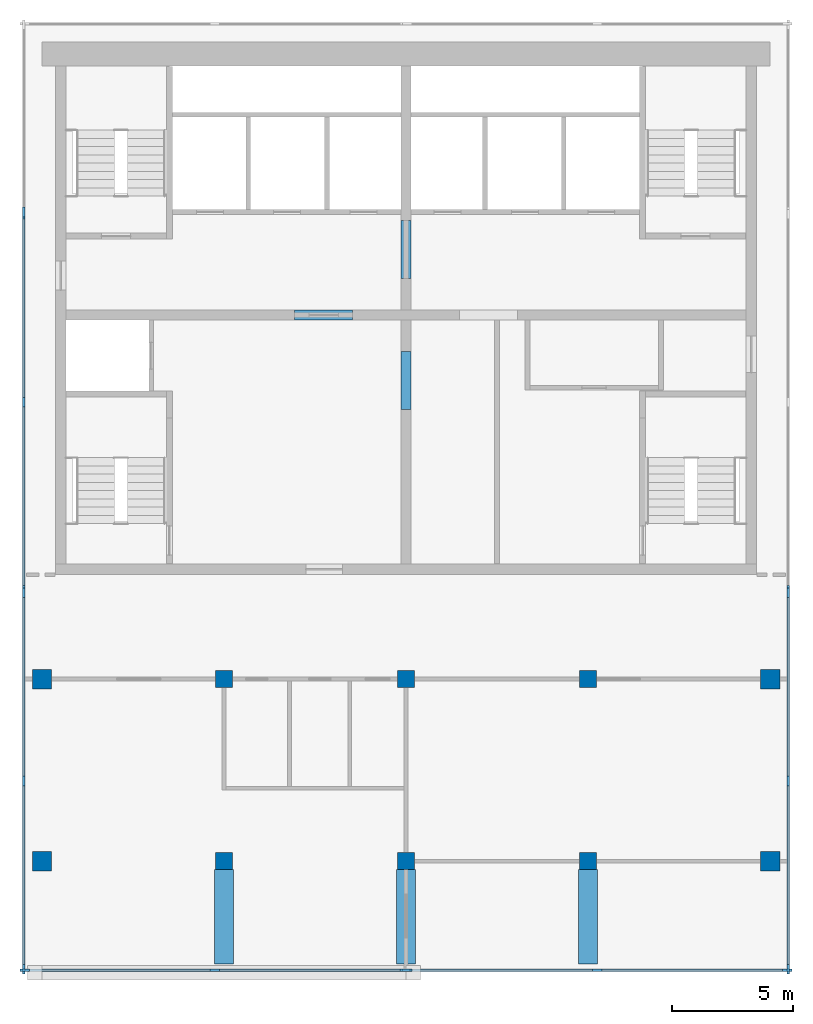
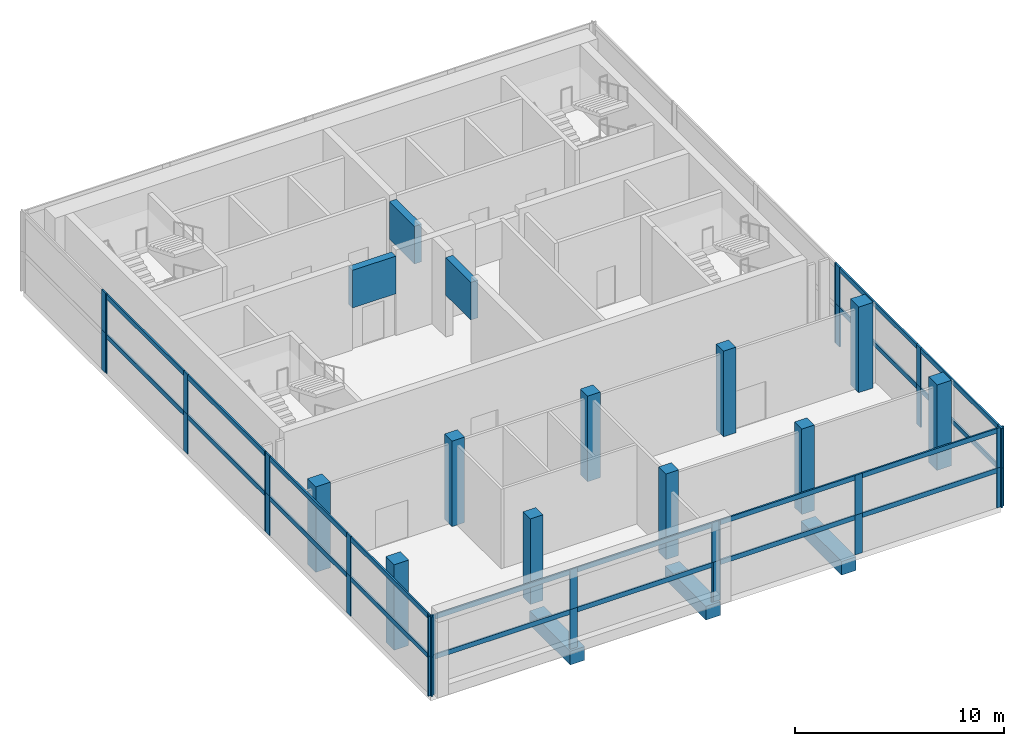
# One storey, part 1 of 6: 54 members, 10 columns, 6 beams, 14 elements without a shape of their own.
"""IFC4 building model written with IfcOpenShell, lengths in metres."""

from ifc_helpers import new_model, si_unit, direction, frame, origin, origin_2d, place, context, subcontext, project, spatial, rectangle, extrude, material, material_profile, profile_set, type_object, element, aggregate, save


model = new_model("IFC4")

# Units and contexts
model_context = context("Model", 3, precision=1e-05, world=origin(), true_north=direction((0.0, 1.0)))
body_context = subcontext(model_context, "Body", "Model", "MODEL_VIEW")
ifc_project = project(units=[si_unit("LENGTHUNIT", "METRE"), si_unit("AREAUNIT", "SQUARE_METRE"), si_unit("VOLUMEUNIT", "CUBIC_METRE"), si_unit("PLANEANGLEUNIT", "RADIAN"), si_unit("MASSUNIT", "GRAM", prefix="KILO")], contexts=[model_context])

# Site, building, storey
site_placement = place(None, origin())
site = spatial("IfcSite", under=ifc_project, at=site_placement, CompositionType="ELEMENT")
building_placement = place(site_placement, origin())
building = spatial("IfcBuilding", under=site, at=building_placement, Name="Pilkhan Gate Tower", CompositionType="ELEMENT")
storey_placement = place(building_placement, frame((0.0, 0.0, 287.699951171875)))
storey = spatial("IfcBuildingStorey", under=building, at=storey_placement, Name="L75", CompositionType="ELEMENT", Elevation=287.699951171875)

# Columns
ifc_material_1 = material(Name="Concrete C40/50", Category="concrete")
ifc_material_profile_1 = material_profile(ifc_material_1, rectangle(XDim=0.699951171875, YDim=0.699951171875, at=origin_2d()), Name="RC 700x700")
ifc_profile_set_1 = profile_set([ifc_material_profile_1], Name="Concrete C40/50")
column_type_1 = type_object("IfcColumnType", Name="Column C70 RC 700x700 C40/50", PredefinedType="COLUMN", material=ifc_profile_set_1)
for number, where, z_axis, x_axis, name in (
    (1, (67.5, 60.0, 0.0), (0.0, 0.0, 1.0), (1.0, 0.0, 0.0), "Column 9/F L75"),
    (2, (67.5, 67.5, 0.0), (0.0, 0.0, 1.0), (1.0, 0.0, 0.0), "Column 9/H L75"),
    (3, (75.0, 60.0, 0.0), (0.0, 0.0, 1.0), (1.0, 0.0, 0.0), "Column 11/F L75"),
    (4, (75.0, 67.5, 0.0), (0.0, 0.0, 1.0), (1.0, 0.0, 0.0), "Column 11/H L75"),
    (5, (82.5, 60.0, 0.0), (0.0, 0.0, 1.0), (1.0, 0.0, 0.0), "Column 13/F L75"),
    (6, (82.5, 67.5, 0.0), (0.0, 0.0, 1.0), (1.0, 0.0, 0.0), "Column 13/H L75"),
):
    element("IfcColumn", number, at=place(storey_placement, frame(where, z_axis=z_axis, x_axis=x_axis)), inside=storey, type_object=column_type_1, Name=name, PredefinedType="COLUMN", context=body_context, shape_type="SweptSolid", body=[
        extrude(rectangle(XDim=0.699951171875, YDim=0.699951171875, at=origin_2d()), origin(), (0.0, 0.0, 1.0), 5.0),
    ])
ifc_material_profile_2 = material_profile(ifc_material_1, rectangle(XDim=0.800048828125, YDim=0.800048828125, at=origin_2d()), Name="RC 800x800")
ifc_profile_set_2 = profile_set([ifc_material_profile_2], Name="Concrete C40/50")
column_type_2 = type_object("IfcColumnType", Name="Column C80 RC 800x800 C40/50", PredefinedType="COLUMN", material=ifc_profile_set_2)
for number, where, z_axis, x_axis, name in (
    (7, (60.0, 60.0, 0.0), (0.0, 0.0, 1.0), (1.0, 0.0, 0.0), "Column 7/F L75"),
    (8, (60.0, 67.5, 0.0), (0.0, 0.0, 1.0), (1.0, 0.0, 0.0), "Column 7/H L75"),
    (9, (90.0, 60.0, 0.0), (0.0, 0.0, 1.0), (1.0, 0.0, 0.0), "Column 15/F L75"),
    (10, (90.0, 67.5, 0.0), (0.0, 0.0, 1.0), (1.0, 0.0, 0.0), "Column 15/H L75"),
):
    element("IfcColumn", number, at=place(storey_placement, frame(where, z_axis=z_axis, x_axis=x_axis)), inside=storey, type_object=column_type_2, Name=name, PredefinedType="COLUMN", context=body_context, shape_type="SweptSolid", body=[
        extrude(rectangle(XDim=0.800048828125, YDim=0.800048828125, at=origin_2d()), origin(), (0.0, 0.0, 1.0), 5.0),
    ])

# Beams
ifc_material_2 = material(Name="Concrete C50/60", Category="concrete")
ifc_material_profile_3 = material_profile(ifc_material_2, rectangle(XDim=0.800048828125, YDim=0.800048828125, at=origin_2d()), Name="RC 800x800")
ifc_profile_set_3 = profile_set([ifc_material_profile_3], Name="Concrete C50/60")
beam_type_1 = type_object("IfcBeamType", Name="Cantilever beam CB2 RC 800x800 C50/60", PredefinedType="BEAM", material=ifc_profile_set_3)
for number, where, z_axis, x_axis, name in (
    (11, (67.5, 59.64990234375, -0.75), (0.0, -1.0, 0.0), (1.0, 0.0, 0.0), "Crown cantilever beam S1 L75"),
    (12, (75.0, 59.64990234375, -0.75), (0.0, -1.0, 0.0), (1.0, 0.0, 0.0), "Crown cantilever beam S2 L75"),
    (13, (82.5, 59.64990234375, -0.75), (0.0, -1.0, 0.0), (1.0, 0.0, 0.0), "Crown cantilever beam S3 L75"),
):
    element("IfcBeam", number, at=place(storey_placement, frame(where, z_axis=z_axis, x_axis=x_axis)), inside=storey, type_object=beam_type_1, Name=name, PredefinedType="BEAM", context=body_context, shape_type="SweptSolid", body=[
        extrude(rectangle(XDim=0.800048828125, YDim=0.800048828125, at=origin_2d()), origin(), (0.0, 0.0, 1.0), 3.89990234375),
    ])
ifc_material_profile_4 = material_profile(ifc_material_2, rectangle(XDim=0.39990234375, YDim=2.199951171875, at=origin_2d()), Name="RC 400x2200")
ifc_profile_set_4 = profile_set([ifc_material_profile_4], Name="Concrete C50/60")
beam_type_2 = type_object("IfcBeamType", Name="Coupling beam CB220-4 RC 400x2200 C50/60", PredefinedType="LINTEL", material=ifc_profile_set_4)
beam_placement = place(storey_placement, frame((70.39990234375, 82.5, 3.550048828125), z_axis=(1.0, 0.0, 0.0), x_axis=(0.0, 1.0, 0.0)))
element("IfcBeam", 14, at=beam_placement, inside=storey, type_object=beam_type_2, Name="Coupling beam 1 L75", PredefinedType="LINTEL", context=body_context, shape_type="SweptSolid", body=[
    extrude(rectangle(XDim=0.39990234375, YDim=2.199951171875, at=origin_2d()), origin(), (0.0, 0.0, 1.0), 2.400146484375),
])
for number, where, z_axis, x_axis, name in (
    (15, (75.0, 78.60009765625, 3.550048828125), (0.0, 1.0, 0.0), (-1.0, 0.0, 0.0), "Coupling beam 3 L75"),
    (16, (75.0, 84.0, 3.550048828125), (0.0, 1.0, 0.0), (-1.0, 0.0, 0.0), "Coupling beam 4 L75"),
):
    element("IfcBeam", number, at=place(storey_placement, frame(where, z_axis=z_axis, x_axis=x_axis)), inside=storey, type_object=beam_type_2, Name=name, PredefinedType="LINTEL", context=body_context, shape_type="SweptSolid", body=[
        extrude(rectangle(XDim=0.39990234375, YDim=2.199951171875, at=origin_2d()), origin(), (0.0, 0.0, 1.0), 2.39990234375),
    ])

# Curtain wall, members
ifc_material_3 = material(Name="Pale anodised aluminium, clear low-iron laminated glazing", Category="aluminium")
curtain_wall_type = type_object("IfcCurtainWallType", Name="Sky lobby and deck curtain wall CW-S", PredefinedType="USERDEFINED", material=ifc_material_3)
curtain_wall_1_placement = place(storey_placement, origin())
curtain_wall_1 = element("IfcCurtainWall", 17, at=curtain_wall_1_placement, inside=storey, type_object=curtain_wall_type, Name="Sky lobby and deck curtain wall CW-S L75 E", ObjectType="UNITISED CURTAIN WALL", PredefinedType="USERDEFINED")
ifc_material_4 = material(Name="Pale anodised aluminium", Category="aluminium")
ifc_material_profile_5 = material_profile(ifc_material_4, rectangle(XDim=0.090087890625, YDim=0.39990234375, at=origin_2d()), Name="Mullion 400x90")
ifc_profile_set_5 = profile_set([ifc_material_profile_5], Name="Pale anodised aluminium")
member_type_1 = type_object("IfcMemberType", Name="Mullion CW-S 400x90", PredefinedType="MULLION", material=ifc_profile_set_5)
member_1_placement = place(storey_placement, frame((90.75, 55.544921875, 0.0), z_axis=(0.0, 0.0, 1.0), x_axis=(-1.0, 0.0, 0.0)))
member_1 = element("IfcMember", 18, at=member_1_placement, type_object=member_type_1, Name="CW-S mullion 1", PredefinedType="MULLION", context=body_context, shape_type="SweptSolid", body=[
    extrude(rectangle(XDim=0.090087890625, YDim=0.39990234375, at=origin_2d()), origin(), (0.0, 0.0, 1.0), 2.324951171875),
])
member_2_placement = place(storey_placement, frame((90.75, 63.300048828125, 0.0), z_axis=(0.0, 0.0, 1.0), x_axis=(-1.0, 0.0, 0.0)))
member_2 = element("IfcMember", 19, at=member_2_placement, type_object=member_type_1, Name="CW-S mullion 2", PredefinedType="MULLION", context=body_context, shape_type="SweptSolid", body=[
    extrude(rectangle(XDim=0.090087890625, YDim=0.39990234375, at=origin_2d()), origin(), (0.0, 0.0, 1.0), 2.324951171875),
])
member_3_placement = place(storey_placement, frame((90.75, 71.054931640625, 0.0), z_axis=(0.0, 0.0, 1.0), x_axis=(-1.0, 0.0, 0.0)))
member_3 = element("IfcMember", 20, at=member_3_placement, type_object=member_type_1, Name="CW-S mullion 3", PredefinedType="MULLION", context=body_context, shape_type="SweptSolid", body=[
    extrude(rectangle(XDim=0.090087890625, YDim=0.39990234375, at=origin_2d()), origin(), (0.0, 0.0, 1.0), 2.324951171875),
])

# Curtain wall, member
curtain_wall_2_placement = place(storey_placement, origin())
curtain_wall_2 = element("IfcCurtainWall", 21, at=curtain_wall_2_placement, inside=storey, type_object=curtain_wall_type, Name="Sky lobby and deck curtain wall CW-S L75 E", ObjectType="UNITISED CURTAIN WALL", PredefinedType="USERDEFINED")
member_4_placement = place(storey_placement, frame((90.75, 71.14501953125, 0.0), z_axis=(0.0, 0.0, 1.0), x_axis=(-1.0, 0.0, 0.0)))
member_4 = element("IfcMember", 22, at=member_4_placement, type_object=member_type_1, Name="CW-S mullion 1", PredefinedType="MULLION", context=body_context, shape_type="SweptSolid", body=[
    extrude(rectangle(XDim=0.090087890625, YDim=0.39990234375, at=origin_2d()), origin(), (0.0, 0.0, 1.0), 2.324951171875),
])
aggregate(curtain_wall_2, [member_4])

# Curtain wall, members
curtain_wall_3_placement = place(storey_placement, origin())
curtain_wall_3 = element("IfcCurtainWall", 23, at=curtain_wall_3_placement, inside=storey, type_object=curtain_wall_type, Name="Sky lobby and deck curtain wall CW-S L75 E", ObjectType="UNITISED CURTAIN WALL", PredefinedType="USERDEFINED")
member_5_placement = place(storey_placement, frame((90.75, 55.544921875, 2.324951171875), z_axis=(0.0, 0.0, 1.0), x_axis=(-1.0, 0.0, 0.0)))
member_5 = element("IfcMember", 24, at=member_5_placement, type_object=member_type_1, Name="CW-S mullion 1", PredefinedType="MULLION", context=body_context, shape_type="SweptSolid", body=[
    extrude(rectangle(XDim=0.090087890625, YDim=0.39990234375, at=origin_2d()), origin(), (0.0, 0.0, 1.0), 2.3251953125),
])
member_6_placement = place(storey_placement, frame((90.75, 63.300048828125, 2.324951171875), z_axis=(0.0, 0.0, 1.0), x_axis=(-1.0, 0.0, 0.0)))
member_6 = element("IfcMember", 25, at=member_6_placement, type_object=member_type_1, Name="CW-S mullion 2", PredefinedType="MULLION", context=body_context, shape_type="SweptSolid", body=[
    extrude(rectangle(XDim=0.090087890625, YDim=0.39990234375, at=origin_2d()), origin(), (0.0, 0.0, 1.0), 2.3251953125),
])
member_7_placement = place(storey_placement, frame((90.75, 71.054931640625, 2.324951171875), z_axis=(0.0, 0.0, 1.0), x_axis=(-1.0, 0.0, 0.0)))
member_7 = element("IfcMember", 26, at=member_7_placement, type_object=member_type_1, Name="CW-S mullion 3", PredefinedType="MULLION", context=body_context, shape_type="SweptSolid", body=[
    extrude(rectangle(XDim=0.090087890625, YDim=0.39990234375, at=origin_2d()), origin(), (0.0, 0.0, 1.0), 2.3251953125),
])

# Curtain wall, member
curtain_wall_4_placement = place(storey_placement, origin())
curtain_wall_4 = element("IfcCurtainWall", 27, at=curtain_wall_4_placement, inside=storey, type_object=curtain_wall_type, Name="Sky lobby and deck curtain wall CW-S L75 E", ObjectType="UNITISED CURTAIN WALL", PredefinedType="USERDEFINED")
member_8_placement = place(storey_placement, frame((90.75, 71.14501953125, 2.324951171875), z_axis=(0.0, 0.0, 1.0), x_axis=(-1.0, 0.0, 0.0)))
member_8 = element("IfcMember", 28, at=member_8_placement, type_object=member_type_1, Name="CW-S mullion 1", PredefinedType="MULLION", context=body_context, shape_type="SweptSolid", body=[
    extrude(rectangle(XDim=0.090087890625, YDim=0.39990234375, at=origin_2d()), origin(), (0.0, 0.0, 1.0), 2.3251953125),
])
aggregate(curtain_wall_4, [member_8])

# Curtain wall, members
curtain_wall_5_placement = place(storey_placement, origin())
curtain_wall_5 = element("IfcCurtainWall", 29, at=curtain_wall_5_placement, inside=storey, type_object=curtain_wall_type, Name="Sky lobby and deck curtain wall CW-S L75 W", ObjectType="UNITISED CURTAIN WALL", PredefinedType="USERDEFINED")
member_9_placement = place(storey_placement, frame((59.25, 55.544921875, 0.0), z_axis=(0.0, 0.0, 1.0), x_axis=(-1.0, 0.0, 0.0)))
member_9 = element("IfcMember", 30, at=member_9_placement, type_object=member_type_1, Name="CW-S mullion 1", PredefinedType="MULLION", context=body_context, shape_type="SweptSolid", body=[
    extrude(rectangle(XDim=0.090087890625, YDim=0.39990234375, at=origin_2d()), origin(), (0.0, 0.0, 1.0), 2.324951171875),
])
member_10_placement = place(storey_placement, frame((59.25, 63.300048828125, 0.0), z_axis=(0.0, 0.0, 1.0), x_axis=(-1.0, 0.0, 0.0)))
member_10 = element("IfcMember", 31, at=member_10_placement, type_object=member_type_1, Name="CW-S mullion 2", PredefinedType="MULLION", context=body_context, shape_type="SweptSolid", body=[
    extrude(rectangle(XDim=0.090087890625, YDim=0.39990234375, at=origin_2d()), origin(), (0.0, 0.0, 1.0), 2.324951171875),
])
member_11_placement = place(storey_placement, frame((59.25, 71.054931640625, 0.0), z_axis=(0.0, 0.0, 1.0), x_axis=(-1.0, 0.0, 0.0)))
member_11 = element("IfcMember", 32, at=member_11_placement, type_object=member_type_1, Name="CW-S mullion 3", PredefinedType="MULLION", context=body_context, shape_type="SweptSolid", body=[
    extrude(rectangle(XDim=0.090087890625, YDim=0.39990234375, at=origin_2d()), origin(), (0.0, 0.0, 1.0), 2.324951171875),
])

curtain_wall_6_placement = place(storey_placement, origin())
curtain_wall_6 = element("IfcCurtainWall", 33, at=curtain_wall_6_placement, inside=storey, type_object=curtain_wall_type, Name="Sky lobby and deck curtain wall CW-S L75 W", ObjectType="UNITISED CURTAIN WALL", PredefinedType="USERDEFINED")
member_12_placement = place(storey_placement, frame((59.25, 71.14501953125, 0.0), z_axis=(0.0, 0.0, 1.0), x_axis=(-1.0, 0.0, 0.0)))
member_12 = element("IfcMember", 34, at=member_12_placement, type_object=member_type_1, Name="CW-S mullion 1", PredefinedType="MULLION", context=body_context, shape_type="SweptSolid", body=[
    extrude(rectangle(XDim=0.090087890625, YDim=0.39990234375, at=origin_2d()), origin(), (0.0, 0.0, 1.0), 2.324951171875),
])
member_13_placement = place(storey_placement, frame((59.25, 78.89990234375, 0.0), z_axis=(0.0, 0.0, 1.0), x_axis=(-1.0, 0.0, 0.0)))
member_13 = element("IfcMember", 35, at=member_13_placement, type_object=member_type_1, Name="CW-S mullion 2", PredefinedType="MULLION", context=body_context, shape_type="SweptSolid", body=[
    extrude(rectangle(XDim=0.090087890625, YDim=0.39990234375, at=origin_2d()), origin(), (0.0, 0.0, 1.0), 2.324951171875),
])
member_14_placement = place(storey_placement, frame((59.25, 86.655029296875, 0.0), z_axis=(0.0, 0.0, 1.0), x_axis=(-1.0, 0.0, 0.0)))
member_14 = element("IfcMember", 36, at=member_14_placement, type_object=member_type_1, Name="CW-S mullion 3", PredefinedType="MULLION", context=body_context, shape_type="SweptSolid", body=[
    extrude(rectangle(XDim=0.090087890625, YDim=0.39990234375, at=origin_2d()), origin(), (0.0, 0.0, 1.0), 2.324951171875),
])

# Curtain wall, member
curtain_wall_7_placement = place(storey_placement, origin())
curtain_wall_7 = element("IfcCurtainWall", 37, at=curtain_wall_7_placement, inside=storey, type_object=curtain_wall_type, Name="Sky lobby and deck curtain wall CW-S L75 W", ObjectType="UNITISED CURTAIN WALL", PredefinedType="USERDEFINED")
member_15_placement = place(storey_placement, frame((59.25, 86.7451171875, 0.0), z_axis=(0.0, 0.0, 1.0), x_axis=(-1.0, 0.0, 0.0)))
member_15 = element("IfcMember", 38, at=member_15_placement, type_object=member_type_1, Name="CW-S mullion 1", PredefinedType="MULLION", context=body_context, shape_type="SweptSolid", body=[
    extrude(rectangle(XDim=0.090087890625, YDim=0.39990234375, at=origin_2d()), origin(), (0.0, 0.0, 1.0), 2.324951171875),
])
aggregate(curtain_wall_7, [member_15])

# Curtain wall, members
curtain_wall_8_placement = place(storey_placement, origin())
curtain_wall_8 = element("IfcCurtainWall", 39, at=curtain_wall_8_placement, inside=storey, type_object=curtain_wall_type, Name="Sky lobby and deck curtain wall CW-S L75 W", ObjectType="UNITISED CURTAIN WALL", PredefinedType="USERDEFINED")
member_16_placement = place(storey_placement, frame((59.25, 55.544921875, 2.324951171875), z_axis=(0.0, 0.0, 1.0), x_axis=(-1.0, 0.0, 0.0)))
member_16 = element("IfcMember", 40, at=member_16_placement, type_object=member_type_1, Name="CW-S mullion 1", PredefinedType="MULLION", context=body_context, shape_type="SweptSolid", body=[
    extrude(rectangle(XDim=0.090087890625, YDim=0.39990234375, at=origin_2d()), origin(), (0.0, 0.0, 1.0), 2.3251953125),
])
member_17_placement = place(storey_placement, frame((59.25, 63.300048828125, 2.324951171875), z_axis=(0.0, 0.0, 1.0), x_axis=(-1.0, 0.0, 0.0)))
member_17 = element("IfcMember", 41, at=member_17_placement, type_object=member_type_1, Name="CW-S mullion 2", PredefinedType="MULLION", context=body_context, shape_type="SweptSolid", body=[
    extrude(rectangle(XDim=0.090087890625, YDim=0.39990234375, at=origin_2d()), origin(), (0.0, 0.0, 1.0), 2.3251953125),
])
member_18_placement = place(storey_placement, frame((59.25, 71.054931640625, 2.324951171875), z_axis=(0.0, 0.0, 1.0), x_axis=(-1.0, 0.0, 0.0)))
member_18 = element("IfcMember", 42, at=member_18_placement, type_object=member_type_1, Name="CW-S mullion 3", PredefinedType="MULLION", context=body_context, shape_type="SweptSolid", body=[
    extrude(rectangle(XDim=0.090087890625, YDim=0.39990234375, at=origin_2d()), origin(), (0.0, 0.0, 1.0), 2.3251953125),
])

curtain_wall_9_placement = place(storey_placement, origin())
curtain_wall_9 = element("IfcCurtainWall", 43, at=curtain_wall_9_placement, inside=storey, type_object=curtain_wall_type, Name="Sky lobby and deck curtain wall CW-S L75 W", ObjectType="UNITISED CURTAIN WALL", PredefinedType="USERDEFINED")
member_19_placement = place(storey_placement, frame((59.25, 71.14501953125, 2.324951171875), z_axis=(0.0, 0.0, 1.0), x_axis=(-1.0, 0.0, 0.0)))
member_19 = element("IfcMember", 44, at=member_19_placement, type_object=member_type_1, Name="CW-S mullion 1", PredefinedType="MULLION", context=body_context, shape_type="SweptSolid", body=[
    extrude(rectangle(XDim=0.090087890625, YDim=0.39990234375, at=origin_2d()), origin(), (0.0, 0.0, 1.0), 2.3251953125),
])
member_20_placement = place(storey_placement, frame((59.25, 78.89990234375, 2.324951171875), z_axis=(0.0, 0.0, 1.0), x_axis=(-1.0, 0.0, 0.0)))
member_20 = element("IfcMember", 45, at=member_20_placement, type_object=member_type_1, Name="CW-S mullion 2", PredefinedType="MULLION", context=body_context, shape_type="SweptSolid", body=[
    extrude(rectangle(XDim=0.090087890625, YDim=0.39990234375, at=origin_2d()), origin(), (0.0, 0.0, 1.0), 2.3251953125),
])
member_21_placement = place(storey_placement, frame((59.25, 86.655029296875, 2.324951171875), z_axis=(0.0, 0.0, 1.0), x_axis=(-1.0, 0.0, 0.0)))
member_21 = element("IfcMember", 46, at=member_21_placement, type_object=member_type_1, Name="CW-S mullion 3", PredefinedType="MULLION", context=body_context, shape_type="SweptSolid", body=[
    extrude(rectangle(XDim=0.090087890625, YDim=0.39990234375, at=origin_2d()), origin(), (0.0, 0.0, 1.0), 2.3251953125),
])

# Curtain wall, member
curtain_wall_10_placement = place(storey_placement, origin())
curtain_wall_10 = element("IfcCurtainWall", 47, at=curtain_wall_10_placement, inside=storey, type_object=curtain_wall_type, Name="Sky lobby and deck curtain wall CW-S L75 W", ObjectType="UNITISED CURTAIN WALL", PredefinedType="USERDEFINED")
member_22_placement = place(storey_placement, frame((59.25, 86.7451171875, 2.324951171875), z_axis=(0.0, 0.0, 1.0), x_axis=(-1.0, 0.0, 0.0)))
member_22 = element("IfcMember", 48, at=member_22_placement, type_object=member_type_1, Name="CW-S mullion 1", PredefinedType="MULLION", context=body_context, shape_type="SweptSolid", body=[
    extrude(rectangle(XDim=0.090087890625, YDim=0.39990234375, at=origin_2d()), origin(), (0.0, 0.0, 1.0), 2.3251953125),
])
aggregate(curtain_wall_10, [member_22])

# Curtain wall, members
curtain_wall_11_placement = place(storey_placement, origin())
curtain_wall_11 = element("IfcCurtainWall", 49, at=curtain_wall_11_placement, inside=storey, type_object=curtain_wall_type, Name="Sky lobby and deck curtain wall CW-S L75 S", ObjectType="UNITISED CURTAIN WALL", PredefinedType="USERDEFINED")
member_23_placement = place(storey_placement, frame((59.294921875, 55.5, 0.0), z_axis=(0.0, 0.0, 1.0), x_axis=(0.0, 1.0, 0.0)))
member_23 = element("IfcMember", 50, at=member_23_placement, type_object=member_type_1, Name="CW-S mullion 1", PredefinedType="MULLION", context=body_context, shape_type="SweptSolid", body=[
    extrude(rectangle(XDim=0.090087890625, YDim=0.39990234375, at=origin_2d()), origin(), (0.0, 0.0, 1.0), 2.324951171875),
])
member_24_placement = place(storey_placement, frame((67.125, 55.5, 0.0), z_axis=(0.0, 0.0, 1.0), x_axis=(0.0, 1.0, 0.0)))
member_24 = element("IfcMember", 51, at=member_24_placement, type_object=member_type_1, Name="CW-S mullion 2", PredefinedType="MULLION", context=body_context, shape_type="SweptSolid", body=[
    extrude(rectangle(XDim=0.090087890625, YDim=0.39990234375, at=origin_2d()), origin(), (0.0, 0.0, 1.0), 2.324951171875),
])
member_25_placement = place(storey_placement, frame((74.955078125, 55.5, 0.0), z_axis=(0.0, 0.0, 1.0), x_axis=(0.0, 1.0, 0.0)))
member_25 = element("IfcMember", 52, at=member_25_placement, type_object=member_type_1, Name="CW-S mullion 3", PredefinedType="MULLION", context=body_context, shape_type="SweptSolid", body=[
    extrude(rectangle(XDim=0.090087890625, YDim=0.39990234375, at=origin_2d()), origin(), (0.0, 0.0, 1.0), 2.324951171875),
])

curtain_wall_12_placement = place(storey_placement, origin())
curtain_wall_12 = element("IfcCurtainWall", 53, at=curtain_wall_12_placement, inside=storey, type_object=curtain_wall_type, Name="Sky lobby and deck curtain wall CW-S L75 S", ObjectType="UNITISED CURTAIN WALL", PredefinedType="USERDEFINED")
member_26_placement = place(storey_placement, frame((75.044921875, 55.5, 0.0), z_axis=(0.0, 0.0, 1.0), x_axis=(0.0, 1.0, 0.0)))
member_26 = element("IfcMember", 54, at=member_26_placement, type_object=member_type_1, Name="CW-S mullion 1", PredefinedType="MULLION", context=body_context, shape_type="SweptSolid", body=[
    extrude(rectangle(XDim=0.090087890625, YDim=0.39990234375, at=origin_2d()), origin(), (0.0, 0.0, 1.0), 2.324951171875),
])
member_27_placement = place(storey_placement, frame((82.875, 55.5, 0.0), z_axis=(0.0, 0.0, 1.0), x_axis=(0.0, 1.0, 0.0)))
member_27 = element("IfcMember", 55, at=member_27_placement, type_object=member_type_1, Name="CW-S mullion 2", PredefinedType="MULLION", context=body_context, shape_type="SweptSolid", body=[
    extrude(rectangle(XDim=0.090087890625, YDim=0.39990234375, at=origin_2d()), origin(), (0.0, 0.0, 1.0), 2.324951171875),
])
member_28_placement = place(storey_placement, frame((90.705078125, 55.5, 0.0), z_axis=(0.0, 0.0, 1.0), x_axis=(0.0, 1.0, 0.0)))
member_28 = element("IfcMember", 56, at=member_28_placement, type_object=member_type_1, Name="CW-S mullion 3", PredefinedType="MULLION", context=body_context, shape_type="SweptSolid", body=[
    extrude(rectangle(XDim=0.090087890625, YDim=0.39990234375, at=origin_2d()), origin(), (0.0, 0.0, 1.0), 2.324951171875),
])

curtain_wall_13_placement = place(storey_placement, origin())
curtain_wall_13 = element("IfcCurtainWall", 57, at=curtain_wall_13_placement, inside=storey, type_object=curtain_wall_type, Name="Sky lobby and deck curtain wall CW-S L75 S", ObjectType="UNITISED CURTAIN WALL", PredefinedType="USERDEFINED")
member_29_placement = place(storey_placement, frame((59.294921875, 55.5, 2.324951171875), z_axis=(0.0, 0.0, 1.0), x_axis=(0.0, 1.0, 0.0)))
member_29 = element("IfcMember", 58, at=member_29_placement, type_object=member_type_1, Name="CW-S mullion 1", PredefinedType="MULLION", context=body_context, shape_type="SweptSolid", body=[
    extrude(rectangle(XDim=0.090087890625, YDim=0.39990234375, at=origin_2d()), origin(), (0.0, 0.0, 1.0), 2.3251953125),
])
member_30_placement = place(storey_placement, frame((67.125, 55.5, 2.324951171875), z_axis=(0.0, 0.0, 1.0), x_axis=(0.0, 1.0, 0.0)))
member_30 = element("IfcMember", 59, at=member_30_placement, type_object=member_type_1, Name="CW-S mullion 2", PredefinedType="MULLION", context=body_context, shape_type="SweptSolid", body=[
    extrude(rectangle(XDim=0.090087890625, YDim=0.39990234375, at=origin_2d()), origin(), (0.0, 0.0, 1.0), 2.3251953125),
])
member_31_placement = place(storey_placement, frame((74.955078125, 55.5, 2.324951171875), z_axis=(0.0, 0.0, 1.0), x_axis=(0.0, 1.0, 0.0)))
member_31 = element("IfcMember", 60, at=member_31_placement, type_object=member_type_1, Name="CW-S mullion 3", PredefinedType="MULLION", context=body_context, shape_type="SweptSolid", body=[
    extrude(rectangle(XDim=0.090087890625, YDim=0.39990234375, at=origin_2d()), origin(), (0.0, 0.0, 1.0), 2.3251953125),
])

curtain_wall_14_placement = place(storey_placement, origin())
curtain_wall_14 = element("IfcCurtainWall", 61, at=curtain_wall_14_placement, inside=storey, type_object=curtain_wall_type, Name="Sky lobby and deck curtain wall CW-S L75 S", ObjectType="UNITISED CURTAIN WALL", PredefinedType="USERDEFINED")
member_32_placement = place(storey_placement, frame((75.044921875, 55.5, 2.324951171875), z_axis=(0.0, 0.0, 1.0), x_axis=(0.0, 1.0, 0.0)))
member_32 = element("IfcMember", 62, at=member_32_placement, type_object=member_type_1, Name="CW-S mullion 1", PredefinedType="MULLION", context=body_context, shape_type="SweptSolid", body=[
    extrude(rectangle(XDim=0.090087890625, YDim=0.39990234375, at=origin_2d()), origin(), (0.0, 0.0, 1.0), 2.3251953125),
])
member_33_placement = place(storey_placement, frame((82.875, 55.5, 2.324951171875), z_axis=(0.0, 0.0, 1.0), x_axis=(0.0, 1.0, 0.0)))
member_33 = element("IfcMember", 63, at=member_33_placement, type_object=member_type_1, Name="CW-S mullion 2", PredefinedType="MULLION", context=body_context, shape_type="SweptSolid", body=[
    extrude(rectangle(XDim=0.090087890625, YDim=0.39990234375, at=origin_2d()), origin(), (0.0, 0.0, 1.0), 2.3251953125),
])
member_34_placement = place(storey_placement, frame((90.705078125, 55.5, 2.324951171875), z_axis=(0.0, 0.0, 1.0), x_axis=(0.0, 1.0, 0.0)))
member_34 = element("IfcMember", 64, at=member_34_placement, type_object=member_type_1, Name="CW-S mullion 3", PredefinedType="MULLION", context=body_context, shape_type="SweptSolid", body=[
    extrude(rectangle(XDim=0.090087890625, YDim=0.39990234375, at=origin_2d()), origin(), (0.0, 0.0, 1.0), 2.3251953125),
])

# Member
ifc_material_profile_6 = material_profile(ifc_material_4, rectangle(XDim=0.090087890625, YDim=0.280029296875, at=origin_2d()), Name="Transom 280x90")
ifc_profile_set_6 = profile_set([ifc_material_profile_6], Name="Pale anodised aluminium")
member_type_2 = type_object("IfcMemberType", Name="Transom CW-S 280x90", PredefinedType="USERDEFINED", material=ifc_profile_set_6)
member_35_placement = place(storey_placement, frame((90.75, 55.590087890625, 2.18505859375), z_axis=(0.0, 1.0, 0.0), x_axis=(-1.0, 0.0, 0.0)))
member_35 = element("IfcMember", 65, at=member_35_placement, type_object=member_type_2, Name="CW-S transom 1", ObjectType="TRANSOM", PredefinedType="USERDEFINED", context=body_context, shape_type="SweptSolid", body=[
    extrude(rectangle(XDim=0.090087890625, YDim=0.280029296875, at=origin_2d()), origin(), (0.0, 0.0, 1.0), 7.664794921875),
])

member_36_placement = place(storey_placement, frame((90.75, 63.344970703125, 2.18505859375), z_axis=(0.0, 1.0, 0.0), x_axis=(-1.0, 0.0, 0.0)))
member_36 = element("IfcMember", 66, at=member_36_placement, type_object=member_type_2, Name="CW-S transom 2", ObjectType="TRANSOM", PredefinedType="USERDEFINED", context=body_context, shape_type="SweptSolid", body=[
    extrude(rectangle(XDim=0.090087890625, YDim=0.280029296875, at=origin_2d()), origin(), (0.0, 0.0, 1.0), 7.6650390625),
])

aggregate(curtain_wall_1, [member_1, member_2, member_3, member_35, member_36])

member_37_placement = place(storey_placement, frame((90.75, 55.590087890625, 4.510009765625), z_axis=(0.0, 1.0, 0.0), x_axis=(-1.0, 0.0, 0.0)))
member_37 = element("IfcMember", 67, at=member_37_placement, type_object=member_type_2, Name="CW-S transom 1", ObjectType="TRANSOM", PredefinedType="USERDEFINED", context=body_context, shape_type="SweptSolid", body=[
    extrude(rectangle(XDim=0.090087890625, YDim=0.280029296875, at=origin_2d()), origin(), (0.0, 0.0, 1.0), 7.664794921875),
])

member_38_placement = place(storey_placement, frame((90.75, 63.344970703125, 4.510009765625), z_axis=(0.0, 1.0, 0.0), x_axis=(-1.0, 0.0, 0.0)))
member_38 = element("IfcMember", 68, at=member_38_placement, type_object=member_type_2, Name="CW-S transom 2", ObjectType="TRANSOM", PredefinedType="USERDEFINED", context=body_context, shape_type="SweptSolid", body=[
    extrude(rectangle(XDim=0.090087890625, YDim=0.280029296875, at=origin_2d()), origin(), (0.0, 0.0, 1.0), 7.6650390625),
])

aggregate(curtain_wall_3, [member_5, member_6, member_7, member_37, member_38])

member_39_placement = place(storey_placement, frame((59.25, 55.590087890625, 2.18505859375), z_axis=(0.0, 1.0, 0.0), x_axis=(-1.0, 0.0, 0.0)))
member_39 = element("IfcMember", 69, at=member_39_placement, type_object=member_type_2, Name="CW-S transom 1", ObjectType="TRANSOM", PredefinedType="USERDEFINED", context=body_context, shape_type="SweptSolid", body=[
    extrude(rectangle(XDim=0.090087890625, YDim=0.280029296875, at=origin_2d()), origin(), (0.0, 0.0, 1.0), 7.664794921875),
])

member_40_placement = place(storey_placement, frame((59.25, 63.344970703125, 2.18505859375), z_axis=(0.0, 1.0, 0.0), x_axis=(-1.0, 0.0, 0.0)))
member_40 = element("IfcMember", 70, at=member_40_placement, type_object=member_type_2, Name="CW-S transom 2", ObjectType="TRANSOM", PredefinedType="USERDEFINED", context=body_context, shape_type="SweptSolid", body=[
    extrude(rectangle(XDim=0.090087890625, YDim=0.280029296875, at=origin_2d()), origin(), (0.0, 0.0, 1.0), 7.6650390625),
])

aggregate(curtain_wall_5, [member_9, member_10, member_11, member_39, member_40])

member_41_placement = place(storey_placement, frame((59.25, 71.18994140625, 2.18505859375), z_axis=(0.0, 1.0, 0.0), x_axis=(-1.0, 0.0, 0.0)))
member_41 = element("IfcMember", 71, at=member_41_placement, type_object=member_type_2, Name="CW-S transom 1", ObjectType="TRANSOM", PredefinedType="USERDEFINED", context=body_context, shape_type="SweptSolid", body=[
    extrude(rectangle(XDim=0.090087890625, YDim=0.280029296875, at=origin_2d()), origin(), (0.0, 0.0, 1.0), 7.6650390625),
])

member_42_placement = place(storey_placement, frame((59.25, 78.945068359375, 2.18505859375), z_axis=(0.0, 1.0, 0.0), x_axis=(-1.0, 0.0, 0.0)))
member_42 = element("IfcMember", 72, at=member_42_placement, type_object=member_type_2, Name="CW-S transom 2", ObjectType="TRANSOM", PredefinedType="USERDEFINED", context=body_context, shape_type="SweptSolid", body=[
    extrude(rectangle(XDim=0.090087890625, YDim=0.280029296875, at=origin_2d()), origin(), (0.0, 0.0, 1.0), 7.6650390625),
])

aggregate(curtain_wall_6, [member_12, member_13, member_14, member_41, member_42])

member_43_placement = place(storey_placement, frame((59.25, 55.590087890625, 4.510009765625), z_axis=(0.0, 1.0, 0.0), x_axis=(-1.0, 0.0, 0.0)))
member_43 = element("IfcMember", 73, at=member_43_placement, type_object=member_type_2, Name="CW-S transom 1", ObjectType="TRANSOM", PredefinedType="USERDEFINED", context=body_context, shape_type="SweptSolid", body=[
    extrude(rectangle(XDim=0.090087890625, YDim=0.280029296875, at=origin_2d()), origin(), (0.0, 0.0, 1.0), 7.664794921875),
])

member_44_placement = place(storey_placement, frame((59.25, 63.344970703125, 4.510009765625), z_axis=(0.0, 1.0, 0.0), x_axis=(-1.0, 0.0, 0.0)))
member_44 = element("IfcMember", 74, at=member_44_placement, type_object=member_type_2, Name="CW-S transom 2", ObjectType="TRANSOM", PredefinedType="USERDEFINED", context=body_context, shape_type="SweptSolid", body=[
    extrude(rectangle(XDim=0.090087890625, YDim=0.280029296875, at=origin_2d()), origin(), (0.0, 0.0, 1.0), 7.6650390625),
])

aggregate(curtain_wall_8, [member_16, member_17, member_18, member_43, member_44])

member_45_placement = place(storey_placement, frame((59.25, 71.18994140625, 4.510009765625), z_axis=(0.0, 1.0, 0.0), x_axis=(-1.0, 0.0, 0.0)))
member_45 = element("IfcMember", 75, at=member_45_placement, type_object=member_type_2, Name="CW-S transom 1", ObjectType="TRANSOM", PredefinedType="USERDEFINED", context=body_context, shape_type="SweptSolid", body=[
    extrude(rectangle(XDim=0.090087890625, YDim=0.280029296875, at=origin_2d()), origin(), (0.0, 0.0, 1.0), 7.6650390625),
])

member_46_placement = place(storey_placement, frame((59.25, 78.945068359375, 4.510009765625), z_axis=(0.0, 1.0, 0.0), x_axis=(-1.0, 0.0, 0.0)))
member_46 = element("IfcMember", 76, at=member_46_placement, type_object=member_type_2, Name="CW-S transom 2", ObjectType="TRANSOM", PredefinedType="USERDEFINED", context=body_context, shape_type="SweptSolid", body=[
    extrude(rectangle(XDim=0.090087890625, YDim=0.280029296875, at=origin_2d()), origin(), (0.0, 0.0, 1.0), 7.6650390625),
])

aggregate(curtain_wall_9, [member_19, member_20, member_21, member_45, member_46])

member_47_placement = place(storey_placement, frame((59.340087890625, 55.5, 2.18505859375), z_axis=(1.0, 0.0, 0.0), x_axis=(0.0, 1.0, 0.0)))
member_47 = element("IfcMember", 77, at=member_47_placement, type_object=member_type_2, Name="CW-S transom 1", ObjectType="TRANSOM", PredefinedType="USERDEFINED", context=body_context, shape_type="SweptSolid", body=[
    extrude(rectangle(XDim=0.090087890625, YDim=0.280029296875, at=origin_2d()), origin(), (0.0, 0.0, 1.0), 7.739990234375),
])

member_48_placement = place(storey_placement, frame((67.169921875, 55.5, 2.18505859375), z_axis=(1.0, 0.0, 0.0), x_axis=(0.0, 1.0, 0.0)))
member_48 = element("IfcMember", 78, at=member_48_placement, type_object=member_type_2, Name="CW-S transom 2", ObjectType="TRANSOM", PredefinedType="USERDEFINED", context=body_context, shape_type="SweptSolid", body=[
    extrude(rectangle(XDim=0.090087890625, YDim=0.280029296875, at=origin_2d()), origin(), (0.0, 0.0, 1.0), 7.739990234375),
])

aggregate(curtain_wall_11, [member_23, member_24, member_25, member_47, member_48])

member_49_placement = place(storey_placement, frame((75.090087890625, 55.5, 2.18505859375), z_axis=(1.0, 0.0, 0.0), x_axis=(0.0, 1.0, 0.0)))
member_49 = element("IfcMember", 79, at=member_49_placement, type_object=member_type_2, Name="CW-S transom 1", ObjectType="TRANSOM", PredefinedType="USERDEFINED", context=body_context, shape_type="SweptSolid", body=[
    extrude(rectangle(XDim=0.090087890625, YDim=0.280029296875, at=origin_2d()), origin(), (0.0, 0.0, 1.0), 7.739990234375),
])

member_50_placement = place(storey_placement, frame((82.919921875, 55.5, 2.18505859375), z_axis=(1.0, 0.0, 0.0), x_axis=(0.0, 1.0, 0.0)))
member_50 = element("IfcMember", 80, at=member_50_placement, type_object=member_type_2, Name="CW-S transom 2", ObjectType="TRANSOM", PredefinedType="USERDEFINED", context=body_context, shape_type="SweptSolid", body=[
    extrude(rectangle(XDim=0.090087890625, YDim=0.280029296875, at=origin_2d()), origin(), (0.0, 0.0, 1.0), 7.739990234375),
])

aggregate(curtain_wall_12, [member_26, member_27, member_28, member_49, member_50])

member_51_placement = place(storey_placement, frame((59.340087890625, 55.5, 4.510009765625), z_axis=(1.0, 0.0, 0.0), x_axis=(0.0, 1.0, 0.0)))
member_51 = element("IfcMember", 81, at=member_51_placement, type_object=member_type_2, Name="CW-S transom 1", ObjectType="TRANSOM", PredefinedType="USERDEFINED", context=body_context, shape_type="SweptSolid", body=[
    extrude(rectangle(XDim=0.090087890625, YDim=0.280029296875, at=origin_2d()), origin(), (0.0, 0.0, 1.0), 7.739990234375),
])

member_52_placement = place(storey_placement, frame((67.169921875, 55.5, 4.510009765625), z_axis=(1.0, 0.0, 0.0), x_axis=(0.0, 1.0, 0.0)))
member_52 = element("IfcMember", 82, at=member_52_placement, type_object=member_type_2, Name="CW-S transom 2", ObjectType="TRANSOM", PredefinedType="USERDEFINED", context=body_context, shape_type="SweptSolid", body=[
    extrude(rectangle(XDim=0.090087890625, YDim=0.280029296875, at=origin_2d()), origin(), (0.0, 0.0, 1.0), 7.739990234375),
])

aggregate(curtain_wall_13, [member_29, member_30, member_31, member_51, member_52])

member_53_placement = place(storey_placement, frame((75.090087890625, 55.5, 4.510009765625), z_axis=(1.0, 0.0, 0.0), x_axis=(0.0, 1.0, 0.0)))
member_53 = element("IfcMember", 83, at=member_53_placement, type_object=member_type_2, Name="CW-S transom 1", ObjectType="TRANSOM", PredefinedType="USERDEFINED", context=body_context, shape_type="SweptSolid", body=[
    extrude(rectangle(XDim=0.090087890625, YDim=0.280029296875, at=origin_2d()), origin(), (0.0, 0.0, 1.0), 7.739990234375),
])

member_54_placement = place(storey_placement, frame((82.919921875, 55.5, 4.510009765625), z_axis=(1.0, 0.0, 0.0), x_axis=(0.0, 1.0, 0.0)))
member_54 = element("IfcMember", 84, at=member_54_placement, type_object=member_type_2, Name="CW-S transom 2", ObjectType="TRANSOM", PredefinedType="USERDEFINED", context=body_context, shape_type="SweptSolid", body=[
    extrude(rectangle(XDim=0.090087890625, YDim=0.280029296875, at=origin_2d()), origin(), (0.0, 0.0, 1.0), 7.739990234375),
])

aggregate(curtain_wall_14, [member_32, member_33, member_34, member_53, member_54])

save(model, "model.ifc")
